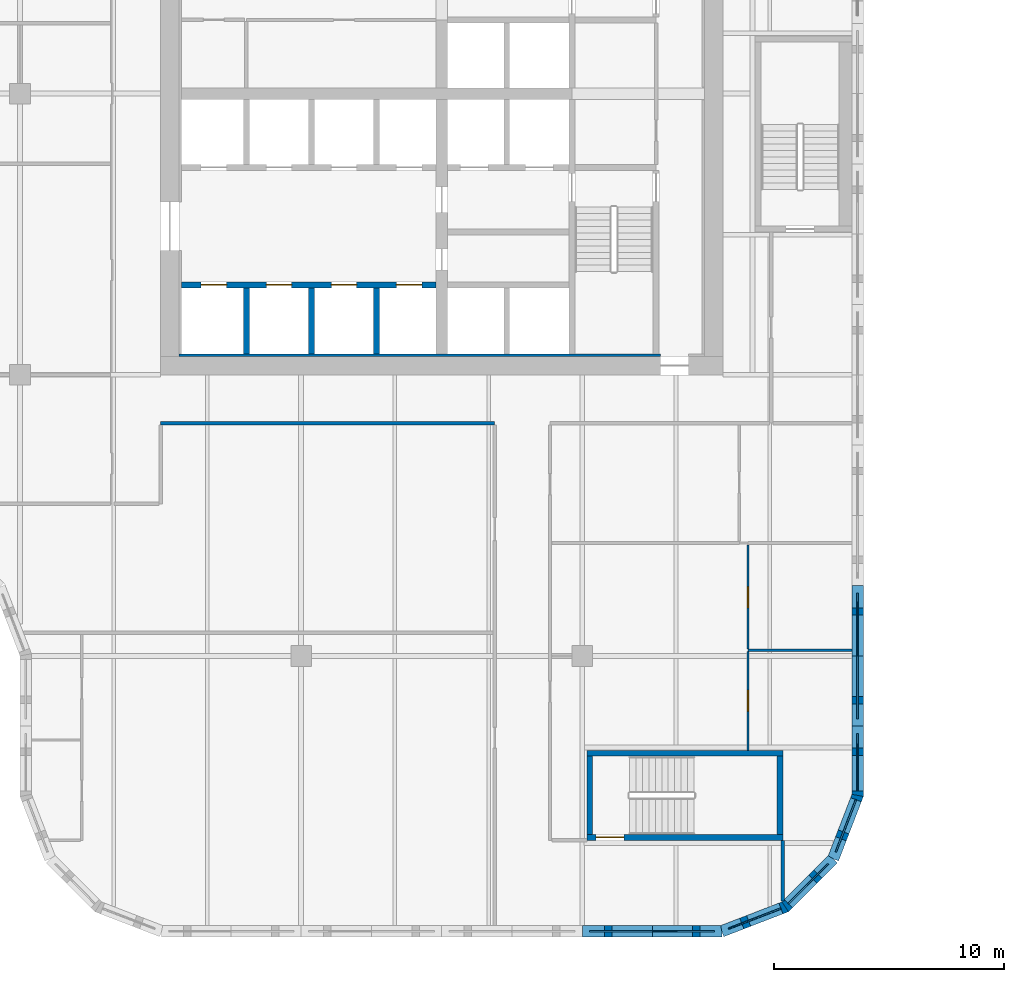
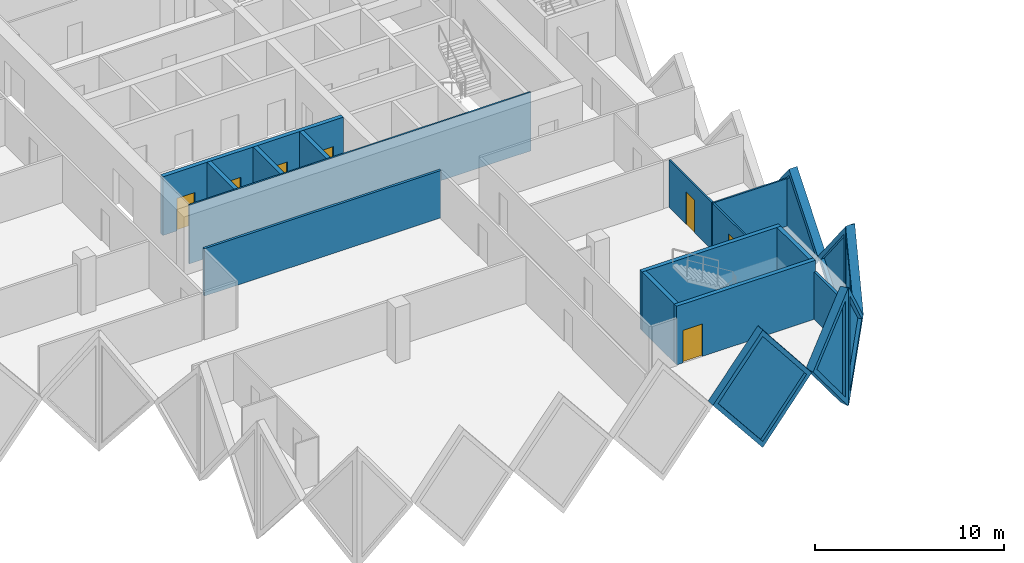
# One storey, part 6 of 19: 20 walls, 7 doors, 6 plates, 13 openings.
"""IFC4 building model written with IfcOpenShell, lengths in metres."""

import ifcopenshell
import ifcopenshell.guid

model = None  # the IFC model being written
_history = None  # IfcOwnerHistory: only IFC2X3 demands one
_inside = {}  # id of a spatial element -> (the spatial element, [elements in it])
_under = {}  # id of a project, library or spatial element -> (it, [spatial elements below it])
_declared = {}  # id of a project -> (the project, [libraries it declares])
_typed = {}  # id of a type object -> (the type object, [elements of that type])
_made_of = {}  # id of a material, layer set ... -> (it, [elements and type objects made of it])


def new_model(schema):
    """Start an empty IFC model of exactly this schema.

    Asked for "IFC4X3", IfcOpenShell would pick the latest addendum, in which some entities
    have other attributes; the version numbers below select the first issue.
    IFC2X3 requires an IfcOwnerHistory on every rooted entity: one is made here for all.
    """
    global model, _history
    if schema == "IFC4X3":
        model = ifcopenshell.file(schema_version=(4, 3, 0, 0))
    else:
        model = ifcopenshell.file(schema=schema)
    _inside.clear()
    _under.clear()
    _declared.clear()
    _typed.clear()
    _made_of.clear()
    _history = None
    if model.schema == "IFC2X3":
        org = make("IfcOrganization", Name="unknown")
        user = make(
            "IfcPersonAndOrganization",
            ThePerson=make("IfcPerson", FamilyName="unknown"),
            TheOrganization=org,
        )
        app = make(
            "IfcApplication",
            ApplicationDeveloper=org,
            Version="unknown",
            ApplicationFullName="unknown",
            ApplicationIdentifier="unknown",
        )
        _history = make(
            "IfcOwnerHistory",
            OwningUser=user,
            OwningApplication=app,
            ChangeAction="ADDED",
            CreationDate=0,
        )
    return model


def make(cls, **values):
    """One entity of the class cls with the attributes given. An attribute that is None is left unset."""
    return model.create_entity(
        cls, **{name: value for name, value in values.items() if value is not None}
    )


def rooted(cls, **values):
    """An entity with a GlobalId (a new one), such as an element, a storey or a relation."""
    return make(cls, GlobalId=ifcopenshell.guid.new(), OwnerHistory=_history, **values)


def si_unit(unit_type, name, prefix=None):
    """IfcSIUnit, for example si_unit("LENGTHUNIT", "METRE", prefix="MILLI")."""
    return make("IfcSIUnit", UnitType=unit_type, Prefix=prefix, Name=name)


def assignment(units):
    """IfcUnitAssignment: the units of a project."""
    return None if units is None else make("IfcUnitAssignment", Units=units)


def point(xyz):
    """IfcCartesianPoint."""
    return None if xyz is None else make("IfcCartesianPoint", Coordinates=xyz)


def direction(xyz):
    """IfcDirection."""
    return None if xyz is None else make("IfcDirection", DirectionRatios=xyz)


def frame(location, z_axis=None, x_axis=None):
    """IfcAxis2Placement3D, a coordinate frame: its origin and axes. An axis left out is left unset."""
    return make(
        "IfcAxis2Placement3D",
        Location=point(location),
        Axis=direction(z_axis),
        RefDirection=direction(x_axis),
    )


def frame_2d(location, x_axis=None):
    """IfcAxis2Placement2D, a coordinate frame in the plane: its origin and x axis."""
    return make(
        "IfcAxis2Placement2D", Location=point(location), RefDirection=direction(x_axis)
    )


def origin():
    """The frame at (0, 0, 0) with its axes left unset."""
    return frame((0.0, 0.0, 0.0))


def place(relative_to, where):
    """IfcLocalPlacement: puts the frame where relative to a parent placement (None: the world)."""
    return make(
        "IfcLocalPlacement", PlacementRelTo=relative_to, RelativePlacement=where
    )


def context(
    kind, dimensions, precision=None, world=None, true_north=None, identifier=None
):
    """IfcGeometricRepresentationContext, for example the 3D "Model" context."""
    return make(
        "IfcGeometricRepresentationContext",
        ContextIdentifier=identifier,
        ContextType=kind,
        CoordinateSpaceDimension=dimensions,
        Precision=precision,
        WorldCoordinateSystem=world,
        TrueNorth=true_north,
    )


def subcontext(parent, identifier, kind, view, scale=None):
    """IfcGeometricRepresentationSubContext, for example "Body" below "Model"."""
    return make(
        "IfcGeometricRepresentationSubContext",
        ContextIdentifier=identifier,
        ContextType=kind,
        ParentContext=parent,
        TargetScale=scale,
        TargetView=view,
    )


def project(units=None, contexts=None):
    """IfcProject with its units and contexts."""
    return rooted(
        "IfcProject",
        Name="project",
        RepresentationContexts=contexts,
        UnitsInContext=assignment(units),
    )


def spatial(cls, under=None, at=None, **own):
    """A site, building, storey or space (cls), placed at a placement, below another one or the project."""
    s = rooted(cls, ObjectPlacement=at, **own)
    if under is not None:
        _under.setdefault(under.id(), (under, []))[1].append(s)
    return s


def polyline(points):
    """IfcPolyline through the points."""
    return make("IfcPolyline", Points=[point(p) for p in points])


def profile(cls, at=None, kind="AREA", **sizes):
    """A parametric profile (cls). Its sizes go by their IFC names, for example OverallWidth=200.0."""
    return make(cls, ProfileType=kind, Position=at, **sizes)


def rectangle(**sizes):
    """IfcRectangleProfileDef."""
    return profile("IfcRectangleProfileDef", **sizes)


def outline(outer, holes=None, kind="AREA"):
    """IfcArbitraryClosedProfileDef: a profile drawn as a closed curve; with holes, ...WithVoids."""
    if holes is None:
        return make("IfcArbitraryClosedProfileDef", ProfileType=kind, OuterCurve=outer)
    return make(
        "IfcArbitraryProfileDefWithVoids",
        ProfileType=kind,
        OuterCurve=outer,
        InnerCurves=holes,
    )


def extrude(swept, where, along, depth):
    """IfcExtrudedAreaSolid: the profile swept, set in the frame where, extruded along a direction by depth."""
    return make(
        "IfcExtrudedAreaSolid",
        SweptArea=swept,
        Position=where,
        ExtrudedDirection=direction(along),
        Depth=depth,
    )


def faces_of(points, faces, orient=None, outer=None):
    """IfcFace entities. A face is a list of loops; a loop is a list of indices into points, from 0.

    orient and outer hold one flag for each loop. By default every Orientation is true, the
    first loop of a face is its IfcFaceOuterBound and the others are IfcFaceBound.
    """
    made = []
    for i, loops in enumerate(faces):
        bounds = []
        for j, loop in enumerate(loops):
            is_outer = j == 0 if outer is None else outer[i][j]
            bounds.append(
                make(
                    "IfcFaceOuterBound" if is_outer else "IfcFaceBound",
                    Bound=make("IfcPolyLoop", Polygon=[points[k] for k in loop]),
                    Orientation=True if orient is None else orient[i][j],
                )
            )
        made.append(make("IfcFace", Bounds=bounds))
    return made


def faceted_brep(points, faces, orient=None, outer=None, voids=None):
    """IfcFacetedBrep: a solid bounded by flat faces; with voids (closed shells), ...WithVoids."""
    shared = [point(p) for p in points]
    hull = make("IfcClosedShell", CfsFaces=faces_of(shared, faces, orient, outer))
    if voids is None:
        return make("IfcFacetedBrep", Outer=hull)
    return make(
        "IfcFacetedBrepWithVoids",
        Outer=hull,
        Voids=[
            make(cls, CfsFaces=faces_of(shared, fs, o, b)) for cls, fs, o, b in voids
        ],
    )


def shape(context_of_items, identifier, shape_type, items):
    """IfcShapeRepresentation: the items that make up one representation, for example the "Body"."""
    return make(
        "IfcShapeRepresentation",
        ContextOfItems=context_of_items,
        RepresentationIdentifier=identifier,
        RepresentationType=shape_type,
        Items=items,
    )


def source(mapping_origin, context_of_items, identifier, shape_type, items):
    """IfcRepresentationMap: a shape defined once, which mapped items show again and again."""
    return make(
        "IfcRepresentationMap",
        MappingOrigin=mapping_origin,
        MappedRepresentation=shape(context_of_items, identifier, shape_type, items),
    )


def transform(
    local_origin,
    x_axis=None,
    y_axis=None,
    z_axis=None,
    scale=None,
    scale2=None,
    scale3=None,
    uniform=True,
):
    """IfcCartesianTransformationOperator3D, or its non-uniform kind. x_axis, y_axis, z_axis: its Axis1, 2, 3."""
    if uniform:
        return make(
            "IfcCartesianTransformationOperator3D",
            Axis1=direction(x_axis),
            Axis2=direction(y_axis),
            LocalOrigin=point(local_origin),
            Scale=scale,
            Axis3=direction(z_axis),
        )
    return make(
        "IfcCartesianTransformationOperator3DnonUniform",
        Axis1=direction(x_axis),
        Axis2=direction(y_axis),
        LocalOrigin=point(local_origin),
        Scale=scale,
        Axis3=direction(z_axis),
        Scale2=scale2,
        Scale3=scale3,
    )


def mapped(mapping_source, mapping_target):
    """IfcMappedItem: shows the shape of a source again, moved by a transform."""
    return make(
        "IfcMappedItem", MappingSource=mapping_source, MappingTarget=mapping_target
    )


def material(Name=None, Category=None):
    """IfcMaterial."""
    return make("IfcMaterial", Name=Name, Category=Category)


def layer(
    of_material, thickness, ventilated=None, Name=None, Category=None, Priority=None
):
    """IfcMaterialLayer: one layer of a wall or slab, of a material (None: an air gap)."""
    return make(
        "IfcMaterialLayer",
        Material=of_material,
        LayerThickness=thickness,
        IsVentilated=ventilated,
        Name=Name,
        Category=Category,
        Priority=Priority,
    )


def layer_set(layers, Name=None):
    """IfcMaterialLayerSet."""
    return make("IfcMaterialLayerSet", MaterialLayers=layers, LayerSetName=Name)


def made_of(thing, what):
    """Note that an element or type object is made of a material, layer set ...; save() writes the relation."""
    if what is not None:
        _made_of.setdefault(what.id(), (what, []))[1].append(thing)
    return thing


def type_object(cls, material=None, **own):
    """A type object (cls), such as IfcWallType, which elements share."""
    return made_of(rooted(cls, **own), material)


def element(
    cls,
    number,
    at=None,
    inside=None,
    cuts=None,
    type_object=None,
    material=None,
    context=None,
    identifier="Body",
    shape_type=None,
    held_by="IfcProductDefinitionShape",
    body=None,
    shapes=None,
    **own,
):
    """One element of the class cls, such as IfcWall. Its Tag is "e" and its number.

    at: its placement. inside: the storey or other place that contains it. cuts: it is an
    opening in that element (IfcRelVoidsElement). A single representation is given by context,
    identifier, shape_type and body (its items); several are given by shapes. held_by: the class
    of the entity that holds the representations. save() writes the other relations.
    """
    e = rooted(cls, Tag="e%d" % number, ObjectPlacement=at, **own)
    if body is not None:
        shapes = [shape(context, identifier, shape_type, body)]
    if shapes is not None:
        e.Representation = make(held_by, Representations=shapes)
    if inside is not None:
        _inside.setdefault(inside.id(), (inside, []))[1].append(e)
    if cuts is not None:
        rooted(
            "IfcRelVoidsElement", RelatingBuildingElement=cuts, RelatedOpeningElement=e
        )
    if type_object is not None:
        _typed.setdefault(type_object.id(), (type_object, []))[1].append(e)
    return made_of(e, material)


def fill(opening, filler):
    """IfcRelFillsElement: the door or window that sits in an opening."""
    return rooted(
        "IfcRelFillsElement",
        RelatingOpeningElement=opening,
        RelatedBuildingElement=filler,
    )


def aggregate(whole, parts):
    """IfcRelAggregates: a whole, such as a stair, and the parts it consists of."""
    return rooted("IfcRelAggregates", RelatingObject=whole, RelatedObjects=parts)


def save(model, path):
    """Write the relations noted so far, then the file.

    IfcRelAggregates (storeys below a building ...), IfcRelContainedInSpatialStructure (elements
    in a storey), IfcRelDefinesByType, IfcRelAssociatesMaterial and IfcRelDeclares: one each for
    every whole, place, type object, material and project.
    """
    for whole, parts in _under.values():
        aggregate(whole, parts)
    for where, things in _inside.values():
        rooted(
            "IfcRelContainedInSpatialStructure",
            RelatedElements=things,
            RelatingStructure=where,
        )
    for kind, things in _typed.values():
        rooted("IfcRelDefinesByType", RelatedObjects=things, RelatingType=kind)
    for what, things in _made_of.values():
        rooted("IfcRelAssociatesMaterial", RelatedObjects=things, RelatingMaterial=what)
    for by, libraries in _declared.values():
        rooted("IfcRelDeclares", RelatingContext=by, RelatedDefinitions=libraries)
    model.write(path)


model = new_model("IFC4")

# Units and contexts
model_context = context("Model", 3, precision=1e-05, world=origin(), true_north=direction((0.0, 1.0)))
body_context = subcontext(model_context, "Body", "Model", "MODEL_VIEW")
ifc_project = project(units=[si_unit("LENGTHUNIT", "METRE"), si_unit("AREAUNIT", "SQUARE_METRE"), si_unit("VOLUMEUNIT", "CUBIC_METRE"), si_unit("PLANEANGLEUNIT", "RADIAN"), si_unit("MASSUNIT", "GRAM", prefix="KILO")], contexts=[model_context])

# Site, building, storey
site_placement = place(None, origin())
site = spatial("IfcSite", under=ifc_project, at=site_placement, CompositionType="ELEMENT")
building_placement = place(site_placement, origin())
building = spatial("IfcBuilding", under=site, at=building_placement, Name="Tessera Gate Towers", CompositionType="ELEMENT")
storey_placement = place(building_placement, frame((0.0, 0.0, 72.39990234375)))
storey = spatial("IfcBuildingStorey", under=building, at=storey_placement, Name="L17", CompositionType="ELEMENT", Elevation=72.39990234375)

# Wall, openings, doors
ifc_material_1 = material(Name="Concrete C40/50", Category="concrete")
ifc_layer_1 = layer(ifc_material_1, 0.25)
ifc_layer_set_1 = layer_set([ifc_layer_1], Name="CORE ENCLOSURE WALL 250")
wall_type_1 = type_object("IfcWallType", Name="CORE ENCLOSURE WALL 250", PredefinedType="SOLIDWALL", material=ifc_layer_set_1)
wall_1_placement = place(storey_placement, frame((31.39990234375, 28.300048828125, 0.0), z_axis=(0.0, 0.0, 1.0), x_axis=(1.0, 0.0, 0.0)))
wall_1 = element("IfcWall", 1, at=wall_1_placement, inside=storey, type_object=wall_type_1, Name="L17 shaft and stair enclosure wall", PredefinedType="SOLIDWALL", context=body_context, shape_type="SweptSolid", body=[
    extrude(rectangle(XDim=11.050048828125, YDim=0.25, at=frame_2d((5.52490234375, 0.0))), origin(), (0.0, 0.0, 1.0), 3.800048828125),
])
shared_shape_1 = source(origin(), body_context, "Body", "SweptSolid", [
    extrude(rectangle(XDim=1.10009765625, YDim=2.10009765625, at=frame_2d((0.550048828125, 1.050048828125))), frame((0.0, 0.135009765625, 0.0), z_axis=(0.0, -1.0, 0.0), x_axis=(1.0, 0.0, 0.0)), (0.0, 0.0, 1.0), 0.27001953125),
])
opening_1_placement = place(wall_1_placement, frame((0.862548828125, 0.0, 0.0)))
opening_1 = element("IfcOpeningElement", 2, at=opening_1_placement, cuts=wall_1, Name="Opening LD-LR1", PredefinedType="OPENING", context=body_context, shape_type="MappedRepresentation", body=[
    mapped(shared_shape_1, transform((0.0, 0.0, 0.0), scale=1.0)),
])
opening_2_placement = place(wall_1_placement, frame((3.6875, 0.0, 0.0)))
opening_2 = element("IfcOpeningElement", 3, at=opening_2_placement, cuts=wall_1, Name="Opening LD-LR2", PredefinedType="OPENING", context=body_context, shape_type="MappedRepresentation", body=[
    mapped(shared_shape_1, transform((0.0, 0.0, 0.0), scale=1.0)),
])
opening_3_placement = place(wall_1_placement, frame((6.512451171875, 0.0, 0.0)))
opening_3 = element("IfcOpeningElement", 4, at=opening_3_placement, cuts=wall_1, Name="Opening LD-LR3", PredefinedType="OPENING", context=body_context, shape_type="MappedRepresentation", body=[
    mapped(shared_shape_1, transform((0.0, 0.0, 0.0), scale=1.0)),
])
opening_4_placement = place(wall_1_placement, frame((9.33740234375, 0.0, 0.0)))
opening_4 = element("IfcOpeningElement", 5, at=opening_4_placement, cuts=wall_1, Name="Opening LD-LR4", PredefinedType="OPENING", context=body_context, shape_type="MappedRepresentation", body=[
    mapped(shared_shape_1, transform((0.0, 0.0, 0.0), scale=1.0)),
])
ifc_material_2 = material(Name="Stainless steel", Category="steel")
door_type_1 = type_object("IfcDoorType", Name="CORE DOOR LD 1100x2100", OperationType="DOUBLE_DOOR_SLIDING", PredefinedType="DOOR", material=ifc_material_2)
shared_shape_2 = source(origin(), body_context, "Body", "SweptSolid", [
    extrude(rectangle(XDim=1.10009765625, YDim=2.10009765625, at=frame_2d((0.550048828125, 1.050048828125))), frame((0.0, 0.02490234375, 0.0), z_axis=(0.0, -1.0, 0.0), x_axis=(1.0, 0.0, 0.0)), (0.0, 0.0, 1.0), 0.050048828125),
])
door_1_placement = place(opening_1_placement, origin())
door_1 = element("IfcDoor", 6, at=door_1_placement, inside=storey, type_object=door_type_1, Name="Landing door LR1 L17", OperationType="DOUBLE_DOOR_SLIDING", OverallHeight=2.10009765625, OverallWidth=1.10009765625, PredefinedType="DOOR", context=body_context, shape_type="MappedRepresentation", body=[
    mapped(shared_shape_2, transform((0.0, 0.0, 0.0), scale=1.0)),
])
fill(opening_1, door_1)
door_2_placement = place(opening_2_placement, origin())
door_2 = element("IfcDoor", 7, at=door_2_placement, inside=storey, type_object=door_type_1, Name="Landing door LR2 L17", OperationType="DOUBLE_DOOR_SLIDING", OverallHeight=2.10009765625, OverallWidth=1.10009765625, PredefinedType="DOOR", context=body_context, shape_type="MappedRepresentation", body=[
    mapped(shared_shape_2, transform((0.0, 0.0, 0.0), scale=1.0)),
])
fill(opening_2, door_2)
door_3_placement = place(opening_3_placement, origin())
door_3 = element("IfcDoor", 8, at=door_3_placement, inside=storey, type_object=door_type_1, Name="Landing door LR3 L17", OperationType="DOUBLE_DOOR_SLIDING", OverallHeight=2.10009765625, OverallWidth=1.10009765625, PredefinedType="DOOR", context=body_context, shape_type="MappedRepresentation", body=[
    mapped(shared_shape_2, transform((0.0, 0.0, 0.0), scale=1.0)),
])
fill(opening_3, door_3)
door_4_placement = place(opening_4_placement, origin())
door_4 = element("IfcDoor", 9, at=door_4_placement, inside=storey, type_object=door_type_1, Name="Landing door LR4 L17", OperationType="DOUBLE_DOOR_SLIDING", OverallHeight=2.10009765625, OverallWidth=1.10009765625, PredefinedType="DOOR", context=body_context, shape_type="MappedRepresentation", body=[
    mapped(shared_shape_2, transform((0.0, 0.0, 0.0), scale=1.0)),
])
fill(opening_4, door_4)

# Walls
for number, where, z_axis, x_axis, name in (
    (10, (34.22509765625, 25.300048828125, 0.0), (0.0, 0.0, 1.0), (0.0, 1.0, 0.0), "L17 shaft and stair enclosure wall"),
    (11, (37.050048828125, 25.300048828125, 0.0), (0.0, 0.0, 1.0), (0.0, 1.0, 0.0), "L17 shaft and stair enclosure wall"),
    (12, (39.875, 25.300048828125, 0.0), (0.0, 0.0, 1.0), (0.0, 1.0, 0.0), "L17 shaft and stair enclosure wall"),
):
    element("IfcWall", number, at=place(storey_placement, frame(where, z_axis=z_axis, x_axis=x_axis)), inside=storey, type_object=wall_type_1, Name=name, PredefinedType="SOLIDWALL", context=body_context, shape_type="SweptSolid", body=[
        extrude(rectangle(XDim=2.875, YDim=0.25, at=frame_2d((1.4375, 0.0))), origin(), (0.0, 0.0, 1.0), 3.800048828125),
    ])

# Wall, opening, door
wall_2_placement = place(storey_placement, frame((57.5, 4.324951171875, 0.0), z_axis=(0.0, 0.0, 1.0), x_axis=(-1.0, 0.0, 0.0)))
wall_2 = element("IfcWall", 13, at=wall_2_placement, inside=storey, type_object=wall_type_1, Name="L17 ST4 enclosure wall", PredefinedType="SOLIDWALL", context=body_context, shape_type="SweptSolid", body=[
    extrude(rectangle(XDim=8.5, YDim=0.25, at=frame_2d((4.25, 0.0))), origin(), (0.0, 0.0, 1.0), 3.800048828125),
])
shared_shape_3 = source(origin(), body_context, "Body", "SweptSolid", [
    extrude(rectangle(XDim=1.199951171875, YDim=2.10009765625, at=frame_2d((0.60009765625, 1.050048828125))), frame((0.0, 0.135009765625, 0.0), z_axis=(0.0, -1.0, 0.0), x_axis=(1.0, 0.0, 0.0)), (0.0, 0.0, 1.0), 0.27001953125),
])
opening_5_placement = place(wall_2_placement, frame((6.89990234375, 0.0, 0.0)))
opening_5 = element("IfcOpeningElement", 14, at=opening_5_placement, cuts=wall_2, Name="Opening SD-ST4-1", PredefinedType="OPENING", context=body_context, shape_type="MappedRepresentation", body=[
    mapped(shared_shape_3, transform((0.0, 0.0, 0.0), scale=1.0)),
])
ifc_material_3 = material(Name="Hollow steel fire door", Category="steel")
door_type_2 = type_object("IfcDoorType", Name="CORE DOOR SD 1200x2100", OperationType="NOTDEFINED", PredefinedType="DOOR", material=ifc_material_3)
shared_shape_4 = source(origin(), body_context, "Body", "SweptSolid", [
    extrude(rectangle(XDim=1.199951171875, YDim=2.10009765625, at=frame_2d((0.60009765625, 1.050048828125))), frame((0.0, 0.02490234375, 0.0), z_axis=(0.0, -1.0, 0.0), x_axis=(1.0, 0.0, 0.0)), (0.0, 0.0, 1.0), 0.050048828125),
])
door_5_placement = place(opening_5_placement, origin())
door_5 = element("IfcDoor", 15, at=door_5_placement, inside=storey, type_object=door_type_2, Name="Stair door", OperationType="SINGLE_SWING_RIGHT", OverallHeight=2.10009765625, OverallWidth=1.199951171875, PredefinedType="DOOR", context=body_context, shape_type="MappedRepresentation", body=[
    mapped(shared_shape_4, transform((0.0, 0.0, 0.0), scale=1.0)),
])
fill(opening_5, door_5)

# Walls
wall_3_placement = place(storey_placement, frame((49.125, 4.449951171875, 0.0), z_axis=(0.0, 0.0, 1.0), x_axis=(0.0, 1.0, 0.0)))
element("IfcWall", 16, at=wall_3_placement, inside=storey, type_object=wall_type_1, Name="L17 ST4 enclosure wall", PredefinedType="SOLIDWALL", context=body_context, shape_type="SweptSolid", body=[
    extrude(rectangle(XDim=3.400146484375, YDim=0.25, at=frame_2d((1.7001953125, 0.0))), origin(), (0.0, 0.0, 1.0), 3.800048828125),
])
wall_4_placement = place(storey_placement, frame((49.0, 7.97509765625, 0.0), z_axis=(0.0, 0.0, 1.0), x_axis=(1.0, 0.0, 0.0)))
element("IfcWall", 17, at=wall_4_placement, inside=storey, type_object=wall_type_1, Name="L17 ST4 enclosure wall", PredefinedType="SOLIDWALL", context=body_context, shape_type="SweptSolid", body=[
    extrude(rectangle(XDim=8.5, YDim=0.25, at=frame_2d((4.25, 0.0))), origin(), (0.0, 0.0, 1.0), 3.800048828125),
])
wall_5_placement = place(storey_placement, frame((57.375, 7.85009765625, 0.0), z_axis=(0.0, 0.0, 1.0), x_axis=(0.0, -1.0, 0.0)))
element("IfcWall", 18, at=wall_5_placement, inside=storey, type_object=wall_type_1, Name="L17 ST4 enclosure wall", PredefinedType="SOLIDWALL", context=body_context, shape_type="SweptSolid", body=[
    extrude(rectangle(XDim=3.400146484375, YDim=0.25, at=frame_2d((1.7001953125, 0.0))), origin(), (0.0, 0.0, 1.0), 3.800048828125),
])
ifc_material_4 = material(Name="Concrete C60/75", Category="concrete")
ifc_layer_2 = layer(ifc_material_4, 0.10009765625)
ifc_layer_set_2 = layer_set([ifc_layer_2], Name="CORE WALL THICKENING 100")
wall_type_2 = type_object("IfcWallType", Name="CORE WALL THICKENING 100", PredefinedType="SOLIDWALL", material=ifc_layer_set_2)
wall_6_placement = place(storey_placement, frame((31.300048828125, 25.25, 0.0), z_axis=(0.0, 0.0, 1.0), x_axis=(1.0, 0.0, 0.0)))
element("IfcWall", 19, at=wall_6_placement, inside=storey, type_object=wall_type_2, Name="Core wall thickening S L17", PredefinedType="SOLIDWALL", context=body_context, shape_type="SweptSolid", body=[
    extrude(rectangle(XDim=20.89990234375, YDim=0.10009765625, at=frame_2d((10.449951171875, 0.0))), origin(), (0.0, 0.0, 1.0), 3.800048828125),
])
ifc_material_5 = material(Name="Gypsum board on steel studs, mineral wool", Category="steel")
ifc_layer_3 = layer(ifc_material_5, 0.14990234375)
ifc_layer_set_3 = layer_set([ifc_layer_3], Name="CORRIDOR WALL 150")
wall_type_3 = type_object("IfcWallType", Name="CORRIDOR WALL 150", PredefinedType="PARTITIONING", material=ifc_layer_set_3)
wall_7_placement = place(storey_placement, frame((57.5, 1.55908203125, 0.0), z_axis=(0.0, 0.0, 1.0), x_axis=(0.0, 1.0, 0.0)))
element("IfcWall", 20, at=wall_7_placement, inside=storey, type_object=wall_type_3, Name="T1-L17-PW-002", PredefinedType="PARTITIONING", context=body_context, shape_type="SweptSolid", body=[
    extrude(rectangle(XDim=2.640869140625, YDim=0.14990234375, at=frame_2d((1.3203125, 0.0))), origin(), (0.0, 0.0, 1.0), 3.067138671875),
])
wall_8_placement = place(storey_placement, frame((30.5, 22.300048828125, 0.0), z_axis=(0.0, 0.0, 1.0), x_axis=(1.0, 0.0, 0.0)))
element("IfcWall", 21, at=wall_8_placement, inside=storey, type_object=wall_type_3, Name="T1-L17-PW-022", PredefinedType="PARTITIONING", context=body_context, shape_type="SweptSolid", body=[
    extrude(rectangle(XDim=14.5, YDim=0.14990234375, at=frame_2d((7.25, 0.0))), origin(), (0.0, 0.0, 1.0), 3.067138671875),
])

# Wall, opening, door
ifc_material_6 = material(Name="Glass", Category="glass")
ifc_layer_4 = layer(ifc_material_6, 0.10009765625)
ifc_layer_set_4 = layer_set([ifc_layer_4], Name="GLAZED PARTITION 100")
wall_type_4 = type_object("IfcWallType", Name="GLAZED PARTITION 100", PredefinedType="PARTITIONING", material=ifc_layer_set_4)
wall_9_placement = place(storey_placement, frame((55.989990234375, 12.396728515625, 0.0), z_axis=(0.0, 0.0, 1.0), x_axis=(0.0, -1.0, 0.0)))
wall_9 = element("IfcWall", 22, at=wall_9_placement, inside=storey, type_object=wall_type_4, Name="T1-L17-PW-007", PredefinedType="PARTITIONING", context=body_context, shape_type="SweptSolid", body=[
    extrude(rectangle(XDim=4.296630859375, YDim=0.10009765625, at=frame_2d((2.1484375, 0.0))), origin(), (0.0, 0.0, 1.0), 3.067138671875),
])
shared_shape_5 = source(origin(), body_context, "Body", "SweptSolid", [
    extrude(rectangle(XDim=0.89990234375, YDim=2.10009765625, at=frame_2d((0.449951171875, 1.050048828125))), frame((0.0, 0.06005859375, 0.0), z_axis=(0.0, -1.0, 0.0), x_axis=(1.0, 0.0, 0.0)), (0.0, 0.0, 1.0), 0.1201171875),
])
opening_6_placement = place(wall_9_placement, frame((1.69677734375, 0.0, 0.0)))
opening_6 = element("IfcOpeningElement", 23, at=opening_6_placement, cuts=wall_9, Name="Opening D690-A06-01", PredefinedType="OPENING", context=body_context, shape_type="MappedRepresentation", body=[
    mapped(shared_shape_5, transform((0.0, 0.0, 0.0), scale=1.0)),
])
ifc_material_7 = material(Name="Glass in aluminium frame", Category="aluminium")
door_type_3 = type_object("IfcDoorType", Name="GLAZED DOOR 900 NOT RATED", OperationType="NOTDEFINED", PredefinedType="DOOR", material=ifc_material_7)
shared_shape_6 = source(origin(), body_context, "Body", "SweptSolid", [
    extrude(rectangle(XDim=0.89990234375, YDim=2.10009765625, at=frame_2d((0.449951171875, 1.050048828125))), frame((0.0, 0.02490234375, 0.0), z_axis=(0.0, -1.0, 0.0), x_axis=(1.0, 0.0, 0.0)), (0.0, 0.0, 1.0), 0.050048828125),
])
door_6_placement = place(opening_6_placement, origin())
door_6 = element("IfcDoor", 24, at=door_6_placement, inside=storey, type_object=door_type_3, Name="T1-L17-PD-004", OperationType="SINGLE_SWING_RIGHT", OverallHeight=2.10009765625, OverallWidth=0.89990234375, PredefinedType="DOOR", context=body_context, shape_type="MappedRepresentation", body=[
    mapped(shared_shape_6, transform((0.0, 0.0, 0.0), scale=1.0)),
])
fill(opening_6, door_6)

wall_10_placement = place(storey_placement, frame((55.989990234375, 17.02392578125, 0.0), z_axis=(0.0, 0.0, 1.0), x_axis=(0.0, -1.0, 0.0)))
wall_10 = element("IfcWall", 25, at=wall_10_placement, inside=storey, type_object=wall_type_4, Name="T1-L17-PW-011", PredefinedType="PARTITIONING", context=body_context, shape_type="SweptSolid", body=[
    extrude(rectangle(XDim=4.525146484375, YDim=0.10009765625, at=frame_2d((2.2626953125, 0.0))), origin(), (0.0, 0.0, 1.0), 3.067138671875),
])
opening_7_placement = place(wall_10_placement, frame((1.8251953125, 0.0, 0.0)))
opening_7 = element("IfcOpeningElement", 26, at=opening_7_placement, cuts=wall_10, Name="Opening D690-A06-02", PredefinedType="OPENING", context=body_context, shape_type="MappedRepresentation", body=[
    mapped(shared_shape_5, transform((0.0, 0.0, 0.0), scale=1.0)),
])
door_7_placement = place(opening_7_placement, origin())
door_7 = element("IfcDoor", 27, at=door_7_placement, inside=storey, type_object=door_type_3, Name="T1-L17-PD-006", OperationType="SINGLE_SWING_RIGHT", OverallHeight=2.10009765625, OverallWidth=0.89990234375, PredefinedType="DOOR", context=body_context, shape_type="MappedRepresentation", body=[
    mapped(shared_shape_6, transform((0.0, 0.0, 0.0), scale=1.0)),
])
fill(opening_7, door_7)

# Wall
ifc_material_8 = material(Name="Gypsum board on steel studs", Category="steel")
ifc_layer_5 = layer(ifc_material_8, 0.10009765625)
ifc_layer_set_5 = layer_set([ifc_layer_5], Name="PARTITION 100")
wall_type_5 = type_object("IfcWallType", Name="PARTITION 100", PredefinedType="PARTITIONING", material=ifc_layer_set_5)
wall_11_placement = place(storey_placement, frame((55.989990234375, 12.447998046875, 0.0), z_axis=(0.0, 0.0, 1.0), x_axis=(1.0, 0.0, 0.0)))
element("IfcWall", 28, at=wall_11_placement, inside=storey, type_object=wall_type_5, Name="T1-L17-PW-010", PredefinedType="PARTITIONING", context=body_context, shape_type="SweptSolid", body=[
    extrude(rectangle(XDim=4.510009765625, YDim=0.10009765625, at=frame_2d((2.2548828125, 0.0))), origin(), (0.0, 0.0, 1.0), 3.067138671875),
])

# Wall, opening, plate
ifc_material_9 = material(Name="Precast concrete C60/75 white", Category="concrete")
ifc_layer_6 = layer(ifc_material_9, 0.5)
ifc_layer_set_6 = layer_set([ifc_layer_6], Name="TS3 corner tessera")
wall_type_6 = type_object("IfcWallType", Name="TS3 corner tessera", PredefinedType="SOLIDWALL", material=ifc_layer_set_6)
shared_shape_7 = source(origin(), body_context, "Body", "Brep", [
    faceted_brep([(0.046630859375, -0.25, 0.0), (3.050048828125, -0.25, 3.7998046875), (0.046630859375, -0.25, 7.599853515625), (0.0, -0.25, 7.539794921875), (0.0, -0.25, 0.06005859375), (0.09326171875, 0.25, 7.541015625), (3.050048828125, 0.25, 3.7998046875), (0.09326171875, 0.25, 0.058837890625), (0.046630859375, 0.0, 0.0), (0.046630859375, 0.0, 7.599853515625)], [[[0, 1, 2, 3, 4]], [[5, 6, 7]], [[7, 6, 1, 0, 8]], [[6, 5, 9, 2, 1]], [[3, 2, 9]], [[8, 0, 4]], [[7, 8, 4, 3, 9, 5]]]),
])
wall_12_placement = place(storey_placement, frame((60.75, 6.099853515625, -3.7998046875), z_axis=(0.0, 0.0, 1.0), x_axis=(0.0, 1.0, 0.0)))
wall_12 = element("IfcWall", 29, at=wall_12_placement, inside=storey, type_object=wall_type_6, Name="Precast corner tessera T1 TS3-0364", PredefinedType="SOLIDWALL", context=body_context, shape_type="MappedRepresentation", body=[
    mapped(shared_shape_7, transform((0.0, 0.0, 0.0), scale=1.0)),
])
shared_shape_8 = source(origin(), body_context, "Body", "SweptSolid", [
    extrude(outline(polyline([(0.24658203125, 0.656005859375), (2.7314453125, 3.7998046875), (0.24658203125, 6.943603515625), (0.24658203125, 0.656005859375)])), frame((0.0, 0.260009765625, 0.0), z_axis=(0.0, -1.0, 0.0), x_axis=(1.0, 0.0, 0.0)), (0.0, 0.0, 1.0), 0.52001953125),
])
opening_8_placement = place(wall_12_placement, origin())
opening_8 = element("IfcOpeningElement", 30, at=opening_8_placement, cuts=wall_12, Name="Opening T1-PL2-0477", PredefinedType="OPENING", context=body_context, shape_type="MappedRepresentation", body=[
    mapped(shared_shape_8, transform((0.0, 0.0, 0.0), scale=1.0)),
])
ifc_material_10 = material(Name="Low-e laminated glass", Category="glass")
ifc_layer_7 = layer(ifc_material_10, 0.06005859375)
ifc_layer_set_7 = layer_set([ifc_layer_7], Name="PL2 rhombic pane")
plate_type = type_object("IfcPlateType", Name="PL2 rhombic pane", PredefinedType="SHEET", material=ifc_layer_set_7)
shared_shape_9 = source(origin(), body_context, "Body", "SweptSolid", [
    extrude(outline(polyline([(0.24658203125, 0.656005859375), (2.7314453125, 3.7998046875), (0.24658203125, 6.943603515625), (0.24658203125, 0.656005859375)])), frame((0.0, 0.030029296875, 0.0), z_axis=(0.0, -1.0, 0.0), x_axis=(1.0, 0.0, 0.0)), (0.0, 0.0, 1.0), 0.06005859375),
])
plate_1_placement = place(opening_8_placement, origin())
plate_1 = element("IfcPlate", 31, at=plate_1_placement, inside=storey, type_object=plate_type, Name="Glass pane T1 PL2-0477", PredefinedType="SHEET", context=body_context, shape_type="MappedRepresentation", body=[
    mapped(shared_shape_9, transform((0.0, 0.0, 0.0), scale=1.0)),
])
fill(opening_8, plate_1)

ifc_material_11 = material(Name="Precast concrete C60/75 white", Category="concrete")
ifc_layer_8 = layer(ifc_material_11, 0.5)
ifc_layer_set_8 = layer_set([ifc_layer_8], Name="TS1 tessera")
wall_type_7 = type_object("IfcWallType", Name="TS1 tessera", PredefinedType="SOLIDWALL", material=ifc_layer_set_8)
shared_shape_10 = source(origin(), body_context, "Body", "SweptSolid", [
    extrude(outline(polyline([(3.050048828125, 0.0), (6.10009765625, 3.7998046875), (3.050048828125, 7.599853515625), (0.0, 3.7998046875), (3.050048828125, 0.0)])), frame((0.0, 0.25, 0.0), z_axis=(0.0, -1.0, 0.0), x_axis=(1.0, 0.0, 0.0)), (0.0, 0.0, 1.0), 0.5),
])
wall_13_placement = place(storey_placement, frame((60.75, 9.14990234375, -3.7998046875), z_axis=(0.0, 0.0, 1.0), x_axis=(0.0, 1.0, 0.0)))
wall_13 = element("IfcWall", 32, at=wall_13_placement, inside=storey, type_object=wall_type_7, Name="Precast tessera T1 TS1-0234", PredefinedType="SOLIDWALL", context=body_context, shape_type="MappedRepresentation", body=[
    mapped(shared_shape_10, transform((0.0, 0.0, 0.0), scale=1.0)),
])
shared_shape_11 = source(origin(), body_context, "Body", "SweptSolid", [
    extrude(outline(polyline([(3.050048828125, 0.3994140625), (5.779541015625, 3.7998046875), (3.050048828125, 7.200439453125), (0.320556640625, 3.7998046875), (3.050048828125, 0.3994140625)])), frame((0.0, 0.260009765625, 0.0), z_axis=(0.0, -1.0, 0.0), x_axis=(1.0, 0.0, 0.0)), (0.0, 0.0, 1.0), 0.52001953125),
])
opening_9_placement = place(wall_13_placement, origin())
opening_9 = element("IfcOpeningElement", 33, at=opening_9_placement, cuts=wall_13, Name="Opening T1-PL2-0478", PredefinedType="OPENING", context=body_context, shape_type="MappedRepresentation", body=[
    mapped(shared_shape_11, transform((0.0, 0.0, 0.0), scale=1.0)),
])
shared_shape_12 = source(origin(), body_context, "Body", "SweptSolid", [
    extrude(outline(polyline([(3.050048828125, 0.3994140625), (5.779541015625, 3.7998046875), (3.050048828125, 7.200439453125), (0.320556640625, 3.7998046875), (3.050048828125, 0.3994140625)])), frame((0.0, 0.030029296875, 0.0), z_axis=(0.0, -1.0, 0.0), x_axis=(1.0, 0.0, 0.0)), (0.0, 0.0, 1.0), 0.06005859375),
])
plate_2_placement = place(opening_9_placement, origin())
plate_2 = element("IfcPlate", 34, at=plate_2_placement, inside=storey, type_object=plate_type, Name="Glass pane T1 PL2-0478", PredefinedType="SHEET", context=body_context, shape_type="MappedRepresentation", body=[
    mapped(shared_shape_12, transform((0.0, 0.0, 0.0), scale=1.0)),
])
fill(opening_9, plate_2)

shared_shape_13 = source(origin(), body_context, "Body", "Brep", [
    faceted_brep([(3.050048828125, -0.25, 0.0), (6.053466796875, -0.25, 3.7998046875), (3.050048828125, -0.25, 7.599853515625), (0.0, -0.25, 3.7998046875), (0.0, 0.25, 3.7998046875), (3.050048828125, 0.25, 7.599853515625), (6.0068359375, 0.25, 3.858642578125), (6.0068359375, 0.25, 3.740966796875), (3.050048828125, 0.25, 0.0), (6.053466796875, 0.0, 3.7998046875)], [[[0, 1, 2, 3]], [[4, 5, 6, 7, 8]], [[8, 7, 9, 1, 0]], [[6, 5, 2, 1, 9]], [[5, 4, 3, 2]], [[4, 8, 0, 3]], [[9, 7, 6]]]),
])
wall_14_placement = place(storey_placement, frame((48.800048828125, 0.25, -3.7998046875), z_axis=(0.0, 0.0, 1.0), x_axis=(1.0, 0.0, 0.0)))
wall_14 = element("IfcWall", 35, at=wall_14_placement, inside=storey, type_object=wall_type_7, Name="Precast tessera T1 TS1-0233", PredefinedType="SOLIDWALL", context=body_context, shape_type="MappedRepresentation", body=[
    mapped(shared_shape_13, transform((0.0, 0.0, 0.0), scale=1.0)),
])
shared_shape_14 = source(origin(), body_context, "Body", "SweptSolid", [
    extrude(outline(polyline([(3.048583984375, 0.401123046875), (5.73486328125, 3.7998046875), (3.048583984375, 7.19873046875), (0.320556640625, 3.7998046875), (3.048583984375, 0.401123046875)])), frame((0.0, 0.260009765625, 0.0), z_axis=(0.0, -1.0, 0.0), x_axis=(1.0, 0.0, 0.0)), (0.0, 0.0, 1.0), 0.52001953125),
])
opening_10_placement = place(wall_14_placement, origin())
opening_10 = element("IfcOpeningElement", 36, at=opening_10_placement, cuts=wall_14, Name="Opening T1-PL2-0473", PredefinedType="OPENING", context=body_context, shape_type="MappedRepresentation", body=[
    mapped(shared_shape_14, transform((0.0, 0.0, 0.0), scale=1.0)),
])
shared_shape_15 = source(origin(), body_context, "Body", "SweptSolid", [
    extrude(outline(polyline([(3.048583984375, 0.401123046875), (5.73486328125, 3.7998046875), (3.048583984375, 7.19873046875), (0.320556640625, 3.7998046875), (3.048583984375, 0.401123046875)])), frame((0.0, 0.030029296875, 0.0), z_axis=(0.0, -1.0, 0.0), x_axis=(1.0, 0.0, 0.0)), (0.0, 0.0, 1.0), 0.06005859375),
])
plate_3_placement = place(opening_10_placement, origin())
plate_3 = element("IfcPlate", 37, at=plate_3_placement, inside=storey, type_object=plate_type, Name="Glass pane T1 PL2-0473", PredefinedType="SHEET", context=body_context, shape_type="MappedRepresentation", body=[
    mapped(shared_shape_15, transform((0.0, 0.0, 0.0), scale=1.0)),
])
fill(opening_10, plate_3)

shared_shape_16 = source(origin(), body_context, "Body", "Brep", [
    faceted_brep([(2.950439453125, -0.25, 0.0), (2.9970703125, -0.25, 0.05908203125), (2.9970703125, -0.25, 7.540771484375), (2.950439453125, -0.25, 7.599853515625), (0.0, -0.25, 3.7998046875), (0.052978515625, 0.25, 3.867919921875), (2.904052734375, 0.25, 7.5400390625), (2.904052734375, 0.25, 0.059814453125), (0.052978515625, 0.25, 3.731689453125), (2.950439453125, 0.00048828125, 0.0), (2.950439453125, 0.00048828125, 7.599853515625), (0.0, 0.0, 3.7998046875)], [[[0, 1, 2, 3, 4]], [[5, 6, 7, 8]], [[1, 0, 9]], [[10, 3, 2]], [[6, 5, 11, 4, 3, 10]], [[8, 7, 9, 0, 4, 11]], [[8, 11, 5]], [[1, 9, 7, 6, 10, 2]]]),
])
wall_15_placement = place(storey_placement, frame((59.68798828125, 3.393798828125, -3.7998046875), z_axis=(0.0, 0.0, 1.0), x_axis=(0.359972353723, 0.932962970624, 0.0)))
wall_15 = element("IfcWall", 38, at=wall_15_placement, inside=storey, type_object=wall_type_6, Name="Precast corner tessera T1 TS3-0363", PredefinedType="SOLIDWALL", context=body_context, shape_type="MappedRepresentation", body=[
    mapped(shared_shape_16, transform((0.0, 0.0, 0.0), scale=1.0)),
])
shared_shape_17 = source(origin(), body_context, "Body", "SweptSolid", [
    extrude(outline(polyline([(2.75048828125, 6.9345703125), (0.31640625, 3.7998046875), (2.75048828125, 0.6650390625), (2.75048828125, 6.9345703125)])), frame((0.0, 0.260009765625, 0.0), z_axis=(0.0, -1.0, 0.0), x_axis=(1.0, 0.0, 0.0)), (0.0, 0.0, 1.0), 0.52001953125),
])
opening_11_placement = place(wall_15_placement, origin())
opening_11 = element("IfcOpeningElement", 39, at=opening_11_placement, cuts=wall_15, Name="Opening T1-PL2-0476", PredefinedType="OPENING", context=body_context, shape_type="MappedRepresentation", body=[
    mapped(shared_shape_17, transform((0.0, 0.0, 0.0), scale=1.0)),
])
shared_shape_18 = source(origin(), body_context, "Body", "SweptSolid", [
    extrude(outline(polyline([(2.75048828125, 6.9345703125), (0.31640625, 3.7998046875), (2.75048828125, 0.6650390625), (2.75048828125, 6.9345703125)])), frame((0.0, 0.030029296875, 0.0), z_axis=(0.0, -1.0, 0.0), x_axis=(1.0, 0.0, 0.0)), (0.0, 0.0, 1.0), 0.06005859375),
])
plate_4_placement = place(opening_11_placement, origin())
plate_4 = element("IfcPlate", 40, at=plate_4_placement, inside=storey, type_object=plate_type, Name="Glass pane T1 PL2-0476", PredefinedType="SHEET", context=body_context, shape_type="MappedRepresentation", body=[
    mapped(shared_shape_18, transform((0.0, 0.0, 0.0), scale=1.0)),
])
fill(opening_11, plate_4)

shared_shape_19 = source(origin(), body_context, "Body", "Brep", [
    faceted_brep([(0.052978515625, -0.25, 0.0), (2.9970703125, -0.25, 3.7998046875), (0.052978515625, -0.25, 7.599853515625), (0.0, -0.25, 7.53173828125), (0.0, -0.25, 0.068115234375), (0.10595703125, 0.25, 7.531494140625), (2.944091796875, 0.25, 3.867919921875), (2.944091796875, 0.25, 3.731689453125), (0.10595703125, 0.25, 0.068359375), (2.9970703125, 0.000244140625, 3.7998046875), (0.052978515625, 0.0, 0.0), (0.052978515625, 0.0, 7.599853515625)], [[[0, 1, 2, 3, 4]], [[5, 6, 7, 8]], [[8, 7, 9, 1, 0, 10]], [[6, 5, 11, 2, 1, 9]], [[3, 2, 11]], [[10, 0, 4]], [[8, 10, 4, 3, 11, 5]], [[9, 7, 6]]]),
])
wall_16_placement = place(storey_placement, frame((57.56884765625, 1.2744140625, -3.7998046875), z_axis=(0.0, 0.0, 1.0), x_axis=(0.707066050402, 0.707147509625, 0.0)))
wall_16 = element("IfcWall", 41, at=wall_16_placement, inside=storey, type_object=wall_type_6, Name="Precast corner tessera T1 TS3-0362", PredefinedType="SOLIDWALL", context=body_context, shape_type="MappedRepresentation", body=[
    mapped(shared_shape_19, transform((0.0, 0.0, 0.0), scale=1.0)),
])
shared_shape_20 = source(origin(), body_context, "Body", "SweptSolid", [
    extrude(outline(polyline([(0.2529296875, 0.666259765625), (2.680908203125, 3.7998046875), (0.2529296875, 6.93359375), (0.2529296875, 0.666259765625)])), frame((0.0, 0.260009765625, 0.0), z_axis=(0.0, -1.0, 0.0), x_axis=(1.0, 0.0, 0.0)), (0.0, 0.0, 1.0), 0.52001953125),
])
opening_12_placement = place(wall_16_placement, origin())
opening_12 = element("IfcOpeningElement", 42, at=opening_12_placement, cuts=wall_16, Name="Opening T1-PL2-0475", PredefinedType="OPENING", context=body_context, shape_type="MappedRepresentation", body=[
    mapped(shared_shape_20, transform((0.0, 0.0, 0.0), scale=1.0)),
])
shared_shape_21 = source(origin(), body_context, "Body", "SweptSolid", [
    extrude(outline(polyline([(0.2529296875, 0.666259765625), (2.680908203125, 3.7998046875), (0.2529296875, 6.93359375), (0.2529296875, 0.666259765625)])), frame((0.0, 0.030029296875, 0.0), z_axis=(0.0, -1.0, 0.0), x_axis=(1.0, 0.0, 0.0)), (0.0, 0.0, 1.0), 0.06005859375),
])
plate_5_placement = place(opening_12_placement, origin())
plate_5 = element("IfcPlate", 43, at=plate_5_placement, inside=storey, type_object=plate_type, Name="Glass pane T1 PL2-0475", PredefinedType="SHEET", context=body_context, shape_type="MappedRepresentation", body=[
    mapped(shared_shape_21, transform((0.0, 0.0, 0.0), scale=1.0)),
])
fill(opening_12, plate_5)

shared_shape_22 = source(origin(), body_context, "Body", "Brep", [
    faceted_brep([(2.950439453125, -0.25, 0.0), (3.00341796875, -0.25, 0.068359375), (3.00341796875, -0.25, 7.531494140625), (2.950439453125, -0.25, 7.599853515625), (0.0, -0.25, 3.7998046875), (0.046630859375, 0.25, 3.85986328125), (2.897705078125, 0.25, 7.53173828125), (2.897705078125, 0.25, 0.068115234375), (0.046630859375, 0.25, 3.73974609375), (2.950439453125, 0.00048828125, 0.0), (2.950439453125, 0.00048828125, 7.599853515625), (0.0, 0.0, 3.7998046875)], [[[0, 1, 2, 3, 4]], [[5, 6, 7, 8]], [[1, 0, 9]], [[10, 3, 2]], [[6, 5, 11, 4, 3, 10]], [[8, 7, 9, 0, 4, 11]], [[8, 11, 5]], [[1, 9, 7, 6, 10, 2]]]),
])
wall_17_placement = place(storey_placement, frame((54.853515625, 0.25, -3.7998046875), z_axis=(0.0, 0.0, 1.0), x_axis=(0.932970071518, 0.359953949349, 0.0)))
wall_17 = element("IfcWall", 44, at=wall_17_placement, inside=storey, type_object=wall_type_6, Name="Precast corner tessera T1 TS3-0361", PredefinedType="SOLIDWALL", context=body_context, shape_type="MappedRepresentation", body=[
    mapped(shared_shape_22, transform((0.0, 0.0, 0.0), scale=1.0)),
])
opening_13_placement = place(wall_17_placement, origin())
opening_13 = element("IfcOpeningElement", 45, at=opening_13_placement, cuts=wall_17, Name="Opening T1-PL2-0474", PredefinedType="OPENING", context=body_context, shape_type="MappedRepresentation", body=[
    mapped(shared_shape_17, transform((0.0, 0.0, 0.0), scale=1.0)),
])
plate_6_placement = place(opening_13_placement, origin())
plate_6 = element("IfcPlate", 46, at=plate_6_placement, inside=storey, type_object=plate_type, Name="Glass pane T1 PL2-0474", PredefinedType="SHEET", context=body_context, shape_type="MappedRepresentation", body=[
    mapped(shared_shape_18, transform((0.0, 0.0, 0.0), scale=1.0)),
])
fill(opening_13, plate_6)

save(model, "model.ifc")
